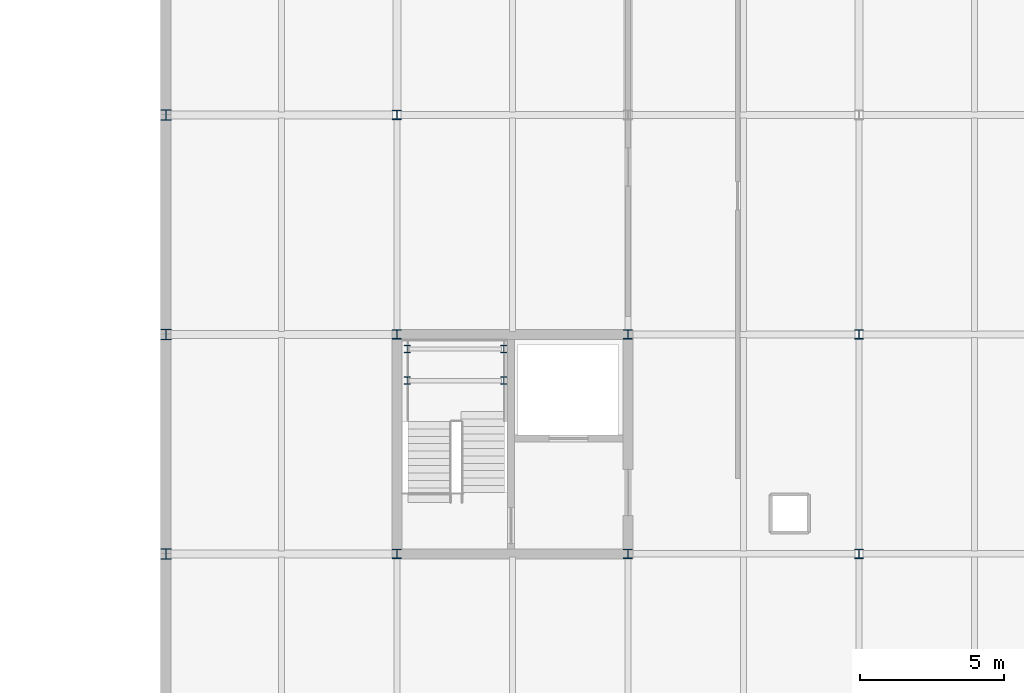
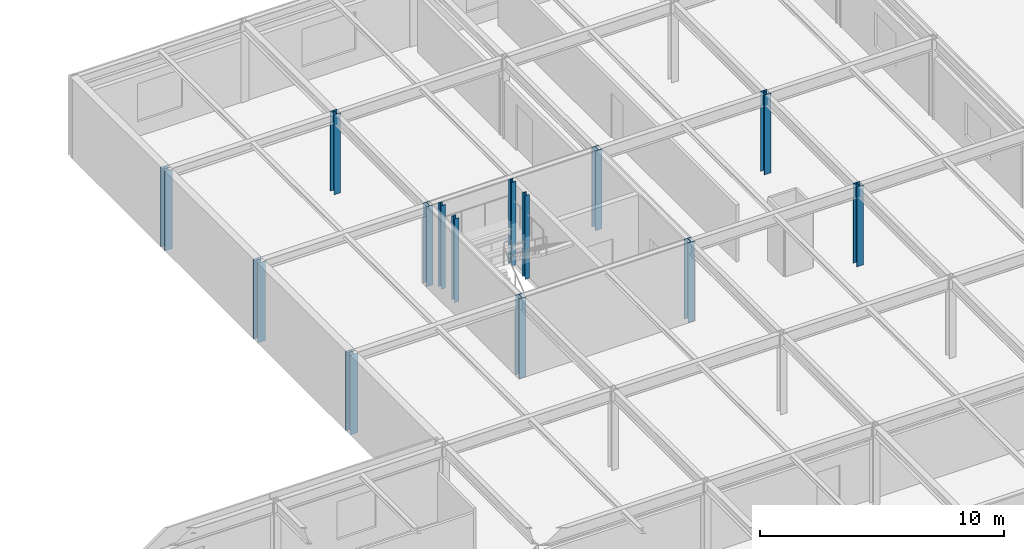
# One storey, part 11 of 85: 14 columns.
"""IFC4 building model written with IfcOpenShell, lengths in metres."""

import ifcopenshell
import ifcopenshell.guid

model = None  # the IFC model being written
_history = None  # IfcOwnerHistory: only IFC2X3 demands one
_inside = {}  # id of a spatial element -> (the spatial element, [elements in it])
_under = {}  # id of a project, library or spatial element -> (it, [spatial elements below it])
_declared = {}  # id of a project -> (the project, [libraries it declares])
_typed = {}  # id of a type object -> (the type object, [elements of that type])
_made_of = {}  # id of a material, layer set ... -> (it, [elements and type objects made of it])


def new_model(schema):
    """Start an empty IFC model of exactly this schema.

    Asked for "IFC4X3", IfcOpenShell would pick the latest addendum, in which some entities
    have other attributes; the version numbers below select the first issue.
    IFC2X3 requires an IfcOwnerHistory on every rooted entity: one is made here for all.
    """
    global model, _history
    if schema == "IFC4X3":
        model = ifcopenshell.file(schema_version=(4, 3, 0, 0))
    else:
        model = ifcopenshell.file(schema=schema)
    _inside.clear()
    _under.clear()
    _declared.clear()
    _typed.clear()
    _made_of.clear()
    _history = None
    if model.schema == "IFC2X3":
        org = make("IfcOrganization", Name="unknown")
        user = make(
            "IfcPersonAndOrganization",
            ThePerson=make("IfcPerson", FamilyName="unknown"),
            TheOrganization=org,
        )
        app = make(
            "IfcApplication",
            ApplicationDeveloper=org,
            Version="unknown",
            ApplicationFullName="unknown",
            ApplicationIdentifier="unknown",
        )
        _history = make(
            "IfcOwnerHistory",
            OwningUser=user,
            OwningApplication=app,
            ChangeAction="ADDED",
            CreationDate=0,
        )
    return model


def make(cls, **values):
    """One entity of the class cls with the attributes given. An attribute that is None is left unset."""
    return model.create_entity(
        cls, **{name: value for name, value in values.items() if value is not None}
    )


def rooted(cls, **values):
    """An entity with a GlobalId (a new one), such as an element, a storey or a relation."""
    return make(cls, GlobalId=ifcopenshell.guid.new(), OwnerHistory=_history, **values)


def si_unit(unit_type, name, prefix=None):
    """IfcSIUnit, for example si_unit("LENGTHUNIT", "METRE", prefix="MILLI")."""
    return make("IfcSIUnit", UnitType=unit_type, Prefix=prefix, Name=name)


def assignment(units):
    """IfcUnitAssignment: the units of a project."""
    return None if units is None else make("IfcUnitAssignment", Units=units)


def point(xyz):
    """IfcCartesianPoint."""
    return None if xyz is None else make("IfcCartesianPoint", Coordinates=xyz)


def direction(xyz):
    """IfcDirection."""
    return None if xyz is None else make("IfcDirection", DirectionRatios=xyz)


def frame(location, z_axis=None, x_axis=None):
    """IfcAxis2Placement3D, a coordinate frame: its origin and axes. An axis left out is left unset."""
    return make(
        "IfcAxis2Placement3D",
        Location=point(location),
        Axis=direction(z_axis),
        RefDirection=direction(x_axis),
    )


def frame_2d(location, x_axis=None):
    """IfcAxis2Placement2D, a coordinate frame in the plane: its origin and x axis."""
    return make(
        "IfcAxis2Placement2D", Location=point(location), RefDirection=direction(x_axis)
    )


def origin():
    """The frame at (0, 0, 0) with its axes left unset."""
    return frame((0.0, 0.0, 0.0))


def origin_2d():
    """The frame at (0, 0) in the plane with its x axis left unset."""
    return frame_2d((0.0, 0.0))


def place(relative_to, where):
    """IfcLocalPlacement: puts the frame where relative to a parent placement (None: the world)."""
    return make(
        "IfcLocalPlacement", PlacementRelTo=relative_to, RelativePlacement=where
    )


def context(
    kind, dimensions, precision=None, world=None, true_north=None, identifier=None
):
    """IfcGeometricRepresentationContext, for example the 3D "Model" context."""
    return make(
        "IfcGeometricRepresentationContext",
        ContextIdentifier=identifier,
        ContextType=kind,
        CoordinateSpaceDimension=dimensions,
        Precision=precision,
        WorldCoordinateSystem=world,
        TrueNorth=true_north,
    )


def subcontext(parent, identifier, kind, view, scale=None):
    """IfcGeometricRepresentationSubContext, for example "Body" below "Model"."""
    return make(
        "IfcGeometricRepresentationSubContext",
        ContextIdentifier=identifier,
        ContextType=kind,
        ParentContext=parent,
        TargetScale=scale,
        TargetView=view,
    )


def project(units=None, contexts=None):
    """IfcProject with its units and contexts."""
    return rooted(
        "IfcProject",
        Name="project",
        RepresentationContexts=contexts,
        UnitsInContext=assignment(units),
    )


def spatial(cls, under=None, at=None, **own):
    """A site, building, storey or space (cls), placed at a placement, below another one or the project."""
    s = rooted(cls, ObjectPlacement=at, **own)
    if under is not None:
        _under.setdefault(under.id(), (under, []))[1].append(s)
    return s


def profile(cls, at=None, kind="AREA", **sizes):
    """A parametric profile (cls). Its sizes go by their IFC names, for example OverallWidth=200.0."""
    return make(cls, ProfileType=kind, Position=at, **sizes)


def i_section(**sizes):
    """IfcIShapeProfileDef."""
    return profile("IfcIShapeProfileDef", **sizes)


def extrude(swept, where, along, depth):
    """IfcExtrudedAreaSolid: the profile swept, set in the frame where, extruded along a direction by depth."""
    return make(
        "IfcExtrudedAreaSolid",
        SweptArea=swept,
        Position=where,
        ExtrudedDirection=direction(along),
        Depth=depth,
    )


def shape(context_of_items, identifier, shape_type, items):
    """IfcShapeRepresentation: the items that make up one representation, for example the "Body"."""
    return make(
        "IfcShapeRepresentation",
        ContextOfItems=context_of_items,
        RepresentationIdentifier=identifier,
        RepresentationType=shape_type,
        Items=items,
    )


def material(Name=None, Category=None):
    """IfcMaterial."""
    return make("IfcMaterial", Name=Name, Category=Category)


def material_profile(
    of_material, cross_section, Name=None, Category=None, Priority=None
):
    """IfcMaterialProfile: a cross section and its material."""
    return make(
        "IfcMaterialProfile",
        Name=Name,
        Material=of_material,
        Profile=cross_section,
        Priority=Priority,
        Category=Category,
    )


def profile_set(profiles, Name=None, composite=None):
    """IfcMaterialProfileSet."""
    return make(
        "IfcMaterialProfileSet",
        Name=Name,
        MaterialProfiles=profiles,
        CompositeProfile=composite,
    )


def made_of(thing, what):
    """Note that an element or type object is made of a material, layer set ...; save() writes the relation."""
    if what is not None:
        _made_of.setdefault(what.id(), (what, []))[1].append(thing)
    return thing


def type_object(cls, material=None, **own):
    """A type object (cls), such as IfcWallType, which elements share."""
    return made_of(rooted(cls, **own), material)


def element(
    cls,
    number,
    at=None,
    inside=None,
    cuts=None,
    type_object=None,
    material=None,
    context=None,
    identifier="Body",
    shape_type=None,
    held_by="IfcProductDefinitionShape",
    body=None,
    shapes=None,
    **own,
):
    """One element of the class cls, such as IfcWall. Its Tag is "e" and its number.

    at: its placement. inside: the storey or other place that contains it. cuts: it is an
    opening in that element (IfcRelVoidsElement). A single representation is given by context,
    identifier, shape_type and body (its items); several are given by shapes. held_by: the class
    of the entity that holds the representations. save() writes the other relations.
    """
    e = rooted(cls, Tag="e%d" % number, ObjectPlacement=at, **own)
    if body is not None:
        shapes = [shape(context, identifier, shape_type, body)]
    if shapes is not None:
        e.Representation = make(held_by, Representations=shapes)
    if inside is not None:
        _inside.setdefault(inside.id(), (inside, []))[1].append(e)
    if cuts is not None:
        rooted(
            "IfcRelVoidsElement", RelatingBuildingElement=cuts, RelatedOpeningElement=e
        )
    if type_object is not None:
        _typed.setdefault(type_object.id(), (type_object, []))[1].append(e)
    return made_of(e, material)


def aggregate(whole, parts):
    """IfcRelAggregates: a whole, such as a stair, and the parts it consists of."""
    return rooted("IfcRelAggregates", RelatingObject=whole, RelatedObjects=parts)


def save(model, path):
    """Write the relations noted so far, then the file.

    IfcRelAggregates (storeys below a building ...), IfcRelContainedInSpatialStructure (elements
    in a storey), IfcRelDefinesByType, IfcRelAssociatesMaterial and IfcRelDeclares: one each for
    every whole, place, type object, material and project.
    """
    for whole, parts in _under.values():
        aggregate(whole, parts)
    for where, things in _inside.values():
        rooted(
            "IfcRelContainedInSpatialStructure",
            RelatedElements=things,
            RelatingStructure=where,
        )
    for kind, things in _typed.values():
        rooted("IfcRelDefinesByType", RelatedObjects=things, RelatingType=kind)
    for what, things in _made_of.values():
        rooted("IfcRelAssociatesMaterial", RelatedObjects=things, RelatingMaterial=what)
    for by, libraries in _declared.values():
        rooted("IfcRelDeclares", RelatingContext=by, RelatedDefinitions=libraries)
    model.write(path)


model = new_model("IFC4")

# Units and contexts
model_context = context("Model", 3, precision=1e-05, world=origin(), true_north=direction((0.0, 1.0)))
body_context = subcontext(model_context, "Body", "Model", "MODEL_VIEW")
ifc_project = project(units=[si_unit("LENGTHUNIT", "METRE"), si_unit("AREAUNIT", "SQUARE_METRE"), si_unit("VOLUMEUNIT", "CUBIC_METRE"), si_unit("PLANEANGLEUNIT", "RADIAN"), si_unit("MASSUNIT", "GRAM", prefix="KILO")], contexts=[model_context])

# Site, building, storey
site_placement = place(None, origin())
site = spatial("IfcSite", under=ifc_project, at=site_placement, CompositionType="ELEMENT")
building_placement = place(site_placement, origin())
building = spatial("IfcBuilding", under=site, at=building_placement, Name="Zulena Civic Courthouse", CompositionType="ELEMENT")
storey_placement = place(building_placement, frame((0.0, 0.0, 25.199951171875)))
storey = spatial("IfcBuildingStorey", under=building, at=storey_placement, Name="L05", CompositionType="ELEMENT", Elevation=25.199951171875)

# Columns
ifc_material = material(Name="Steel ASTM A992 Grade 50", Category="steel")
ifc_material_profile_1 = material_profile(ifc_material, i_section(OverallWidth=0.2041015625, OverallDepth=0.257080078125, WebThickness=0.0087890625, FlangeThickness=0.015625, FilletRadius=0.0126953125, at=origin_2d()), Name="W10X45")
ifc_profile_set_1 = profile_set([ifc_material_profile_1], Name="Steel ASTM A992 Grade 50")
column_type_1 = type_object("IfcColumnType", Name="Col_W10X45", PredefinedType="COLUMN", material=ifc_profile_set_1)
for number, where, z_axis, x_axis, name in (
    (1, (76.360107421875, 74.39990234375, 0.0), (0.0, 0.0, 1.0), (1.0, 0.0, 0.0), "col:lnd:K5B:L05:0:0"),
    (2, (79.699951171875, 74.39990234375, 0.0), (0.0, 0.0, 1.0), (1.0, 0.0, 0.0), "col:lnd:K5B:L05:0:1"),
    (3, (76.360107421875, 75.5, 0.0), (0.0, 0.0, 1.0), (1.0, 0.0, 0.0), "col:lnd:K5B:L05:1:0"),
    (4, (79.699951171875, 75.5, 0.0), (0.0, 0.0, 1.0), (1.0, 0.0, 0.0), "col:lnd:K5B:L05:1:1"),
):
    element("IfcColumn", number, at=place(storey_placement, frame(where, z_axis=z_axis, x_axis=x_axis)), inside=storey, type_object=column_type_1, Name=name, PredefinedType="COLUMN", context=body_context, shape_type="SweptSolid", body=[
        extrude(i_section(OverallWidth=0.2041015625, OverallDepth=0.257080078125, WebThickness=0.0087890625, FlangeThickness=0.015625, FilletRadius=0.0126953125, at=origin_2d()), origin(), (0.0, 0.0, 1.0), 4.195068359375),
    ])
ifc_material_profile_2 = material_profile(ifc_material, i_section(OverallWidth=0.30908203125, OverallDepth=0.322998046875, WebThickness=0.013916015625, FlangeThickness=0.02294921875, FilletRadius=0.01513671875, at=origin_2d()), Name="W12X96")
ifc_profile_set_2 = profile_set([ifc_material_profile_2], Name="Steel ASTM A992 Grade 50")
column_type_2 = type_object("IfcColumnType", Name="Col_W12X96", PredefinedType="COLUMN", material=ifc_profile_set_2)
for number, where, z_axis, x_axis, name in (
    (5, (76.0, 68.39990234375, 0.0), (0.0, 0.0, 1.0), (1.0, 0.0, 0.0), "col:V5:L05:76.0:68.4"),
    (6, (76.0, 76.0, 0.0), (0.0, 0.0, 1.0), (1.0, 0.0, 0.0), "col:V5:L05:76.0:76.0"),
    (7, (76.0, 83.60009765625, 0.0), (0.0, 0.0, 1.0), (1.0, 0.0, 0.0), "col:V5:L05:76.0:83.6"),
    (8, (84.0, 68.39990234375, 0.0), (0.0, 0.0, 1.0), (1.0, 0.0, 0.0), "col:V5:L05:84.0:68.4"),
    (9, (84.0, 76.0, 0.0), (0.0, 0.0, 1.0), (1.0, 0.0, 0.0), "col:V5:L05:84.0:76.0"),
    (10, (92.0, 68.39990234375, 0.0), (0.0, 0.0, 1.0), (1.0, 0.0, 0.0), "col:V5:L05:92.0:68.4"),
    (11, (92.0, 76.0, 0.0), (0.0, 0.0, 1.0), (1.0, 0.0, 0.0), "col:V5:L05:92.0:76.0"),
):
    element("IfcColumn", number, at=place(storey_placement, frame(where, z_axis=z_axis, x_axis=x_axis)), inside=storey, type_object=column_type_2, Name=name, PredefinedType="COLUMN", context=body_context, shape_type="SweptSolid", body=[
        extrude(i_section(OverallWidth=0.30908203125, OverallDepth=0.322998046875, WebThickness=0.013916015625, FlangeThickness=0.02294921875, FilletRadius=0.01513671875, at=origin_2d()), origin(), (0.0, 0.0, 1.0), 3.9951171875),
    ])
ifc_material_profile_3 = material_profile(ifc_material, i_section(OverallWidth=0.368896484375, OverallDepth=0.35595703125, WebThickness=0.01123046875, FlangeThickness=0.01806640625, FilletRadius=0.01513671875, at=origin_2d()), Name="W14X90")
ifc_profile_set_3 = profile_set([ifc_material_profile_3], Name="Steel ASTM A992 Grade 50")
column_type_3 = type_object("IfcColumnType", Name="Col_W14X90", PredefinedType="COLUMN", material=ifc_profile_set_3)
for number, where, z_axis, x_axis, name in (
    (12, (68.0, 68.39990234375, 0.0), (0.0, 0.0, 1.0), (1.0, 0.0, 0.0), "col:V5:L05:68.0:68.4"),
    (13, (68.0, 76.0, 0.0), (0.0, 0.0, 1.0), (1.0, 0.0, 0.0), "col:V5:L05:68.0:76.0"),
    (14, (68.0, 83.60009765625, 0.0), (0.0, 0.0, 1.0), (1.0, 0.0, 0.0), "col:V5:L05:68.0:83.6"),
):
    element("IfcColumn", number, at=place(storey_placement, frame(where, z_axis=z_axis, x_axis=x_axis)), inside=storey, type_object=column_type_3, Name=name, PredefinedType="COLUMN", context=body_context, shape_type="SweptSolid", body=[
        extrude(i_section(OverallWidth=0.368896484375, OverallDepth=0.35595703125, WebThickness=0.01123046875, FlangeThickness=0.01806640625, FilletRadius=0.01513671875, at=origin_2d()), origin(), (0.0, 0.0, 1.0), 3.9951171875),
    ])

save(model, "model.ifc")
